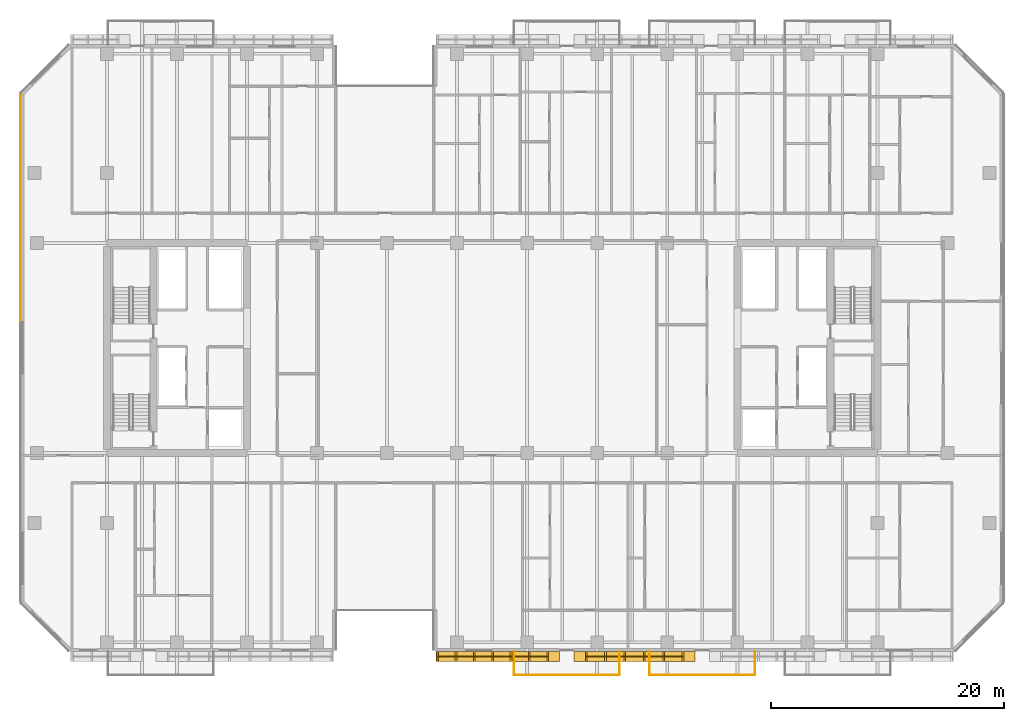
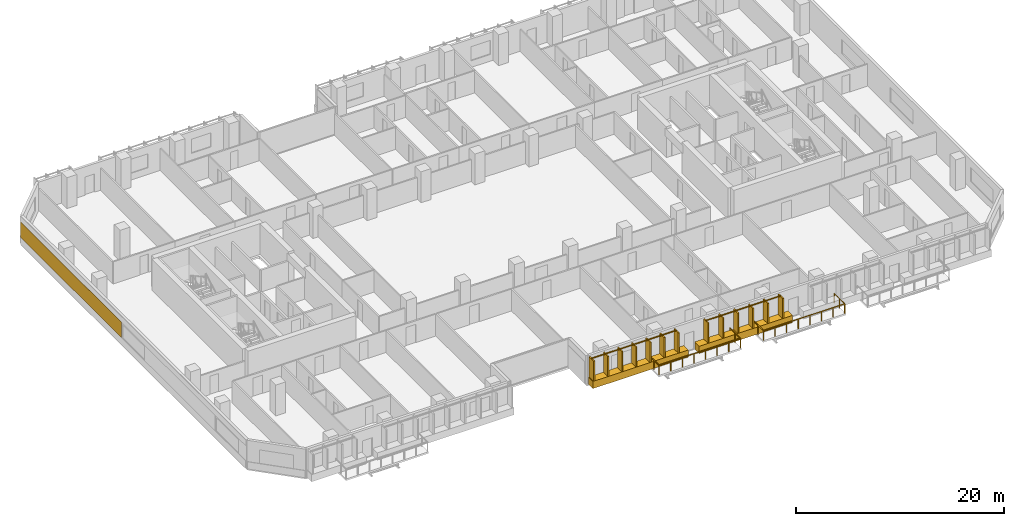
# One storey, part 20 of 25: 4 railings, 3 coverings.
"""IFC4 building model written with IfcOpenShell, lengths in metres."""

from ifc_helpers import new_model, si_unit, direction, frame, origin, origin_2d, place, context, subcontext, project, spatial, rectangle, extrude, material, layer, layer_set, type_object, element, save


model = new_model("IFC4")

# Units and contexts
model_context = context("Model", 3, precision=1e-05, world=origin(), true_north=direction((0.0, 1.0)))
body_context = subcontext(model_context, "Body", "Model", "MODEL_VIEW")
ifc_project = project(units=[si_unit("LENGTHUNIT", "METRE"), si_unit("AREAUNIT", "SQUARE_METRE"), si_unit("VOLUMEUNIT", "CUBIC_METRE"), si_unit("PLANEANGLEUNIT", "RADIAN"), si_unit("MASSUNIT", "GRAM", prefix="KILO")], contexts=[model_context])

# Site, building, storey
site_placement = place(None, origin())
site = spatial("IfcSite", under=ifc_project, at=site_placement, CompositionType="ELEMENT")
building_placement = place(site_placement, origin())
building = spatial("IfcBuilding", under=site, at=building_placement, Name="Tanjung Sevakor Pilgrim Tower", CompositionType="ELEMENT")
storey_placement = place(building_placement, frame((0.0, 0.0, 69.6298828125)))
storey = spatial("IfcBuildingStorey", under=building, at=storey_placement, Name="L19", CompositionType="ELEMENT", Elevation=69.6298828125)

# Coverings
ifc_material_1 = material(Name="Reconstructed Limestone Cladding", Category="masonry")
ifc_layer = layer(ifc_material_1, 0.044921875)
ifc_layer_set = layer_set([ifc_layer], Name="COV-CLAD-LIMESTONE")
covering_type = type_object("IfcCoveringType", Name="COV-CLAD-LIMESTONE", PredefinedType="CLADDING", material=ifc_layer_set)
covering_1_placement = place(storey_placement, frame((57.485107421875, 7.169921875, 0.01025390625), z_axis=(0.0, 0.0, 1.0), x_axis=(1.0, 0.0, 0.0)))
element("IfcCovering", 1, at=covering_1_placement, inside=storey, type_object=covering_type, Name="L19 Warm Limestone Sill Spandrel EW-L19-MAIN-5-1", PredefinedType="CLADDING", context=body_context, shape_type="SweptSolid", body=[
    extrude(rectangle(XDim=10.610107421875, YDim=0.860107421875, at=origin_2d()), origin(), (0.0, 0.0, 1.0), 0.840087890625),
])
covering_2_placement = place(storey_placement, frame((69.199951171875, 7.169921875, 0.01025390625), z_axis=(0.0, 0.0, 1.0), x_axis=(1.0, 0.0, 0.0)))
element("IfcCovering", 2, at=covering_2_placement, inside=storey, type_object=covering_type, Name="L19 Warm Limestone Sill Spandrel EW-L19-MAIN-5-2", PredefinedType="CLADDING", context=body_context, shape_type="SweptSolid", body=[
    extrude(rectangle(XDim=10.3798828125, YDim=0.860107421875, at=origin_2d()), origin(), (0.0, 0.0, 1.0), 0.840087890625),
])
covering_3_placement = place(storey_placement, frame((16.577392578125, 45.575927734375, 0.85009765625), z_axis=(0.0, 0.0, 1.0), x_axis=(0.0, -1.0, 0.0)))
element("IfcCovering", 3, at=covering_3_placement, inside=storey, type_object=covering_type, Name="L19 Warm Limestone Pier Panel EW-L19-MAIN-15-1", PredefinedType="CLADDING", context=body_context, shape_type="SweptSolid", body=[
    extrude(rectangle(XDim=19.451904296875, YDim=0.044921875, at=origin_2d()), origin(), (0.0, 0.0, 1.0), 1.81005859375),
])

# Railings
ifc_material_2 = material(Name="Laminated Glass and Aluminium", Category="aluminium")
railing_type_1 = type_object("IfcRailingType", Name="RL-BAL-BALUST", PredefinedType="BALUSTRADE", material=ifc_material_2)
railing_1_placement = place(storey_placement, frame((58.8798828125, 7.60009765625, 0.0)))
element("IfcRailing", 4, at=railing_1_placement, inside=storey, type_object=railing_type_1, Name="L19 Loggia Balustrade MAIN-S2", PredefinedType="BALUSTRADE", context=body_context, shape_type="SweptSolid", body=[
    extrude(rectangle(XDim=0.0479, YDim=0.0479), frame((0.0, 0.0, 1.1259765625), z_axis=(0.0, -1.0, 0.0), x_axis=(1.0, 0.0, 0.0)), (0.0, 0.0, 1.0), 2.02001953125),
    extrude(rectangle(XDim=0.0479, YDim=0.0479), frame((0.0, -2.02001953125, 1.1259765625), z_axis=(1.0, 0.0, 0.0), x_axis=(0.0, 1.0, 0.0)), (0.0, 0.0, 1.0), 9.0400390625),
    extrude(rectangle(XDim=0.0479, YDim=0.0479), frame((9.0400390625, -2.02001953125, 1.1259765625), z_axis=(0.0, 1.0, 0.0), x_axis=(-1.0, 0.0, 0.0)), (0.0, 0.0, 1.0), 2.02001953125),
    extrude(rectangle(XDim=0.042, YDim=0.042), origin(), (0.0, 0.0, 1.0), 1.101806640625),
    extrude(rectangle(XDim=0.042, YDim=0.042), frame((0.0, -1.010009765625, 0.0)), (0.0, 0.0, 1.0), 1.101806640625),
    extrude(rectangle(XDim=0.042, YDim=0.042), frame((0.0, -2.02001953125, 0.0)), (0.0, 0.0, 1.0), 1.101806640625),
    extrude(rectangle(XDim=0.042, YDim=0.042), frame((1.29150390625, -2.02001953125, 0.0)), (0.0, 0.0, 1.0), 1.101806640625),
    extrude(rectangle(XDim=0.042, YDim=0.042), frame((2.582763671875, -2.02001953125, 0.0)), (0.0, 0.0, 1.0), 1.101806640625),
    extrude(rectangle(XDim=0.042, YDim=0.042), frame((3.874267578125, -2.02001953125, 0.0)), (0.0, 0.0, 1.0), 1.101806640625),
    extrude(rectangle(XDim=0.042, YDim=0.042), frame((5.165771484375, -2.02001953125, 0.0)), (0.0, 0.0, 1.0), 1.101806640625),
    extrude(rectangle(XDim=0.042, YDim=0.042), frame((6.457275390625, -2.02001953125, 0.0)), (0.0, 0.0, 1.0), 1.101806640625),
    extrude(rectangle(XDim=0.042, YDim=0.042), frame((7.74853515625, -2.02001953125, 0.0)), (0.0, 0.0, 1.0), 1.101806640625),
    extrude(rectangle(XDim=0.042, YDim=0.042), frame((9.0400390625, -2.02001953125, 0.0)), (0.0, 0.0, 1.0), 1.101806640625),
    extrude(rectangle(XDim=0.042, YDim=0.042), frame((9.0400390625, -1.010009765625, 0.0)), (0.0, 0.0, 1.0), 1.101806640625),
    extrude(rectangle(XDim=0.042, YDim=0.042), frame((9.0400390625, 0.0, 0.0)), (0.0, 0.0, 1.0), 1.101806640625),
])
railing_2_placement = place(storey_placement, frame((70.47998046875, 7.60009765625, 0.0)))
element("IfcRailing", 5, at=railing_2_placement, inside=storey, type_object=railing_type_1, Name="L19 Loggia Balustrade MAIN-S3", PredefinedType="BALUSTRADE", context=body_context, shape_type="SweptSolid", body=[
    extrude(rectangle(XDim=0.0479, YDim=0.0479), frame((0.0, 0.0, 1.1259765625), z_axis=(0.0, -1.0, 0.0), x_axis=(1.0, 0.0, 0.0)), (0.0, 0.0, 1.0), 2.02001953125),
    extrude(rectangle(XDim=0.0479, YDim=0.0479), frame((0.0, -2.02001953125, 1.1259765625), z_axis=(1.0, 0.0, 0.0), x_axis=(0.0, 1.0, 0.0)), (0.0, 0.0, 1.0), 9.0400390625),
    extrude(rectangle(XDim=0.0479, YDim=0.0479), frame((9.0400390625, -2.02001953125, 1.1259765625), z_axis=(0.0, 1.0, 0.0), x_axis=(-1.0, 0.0, 0.0)), (0.0, 0.0, 1.0), 2.02001953125),
    extrude(rectangle(XDim=0.042, YDim=0.042), origin(), (0.0, 0.0, 1.0), 1.101806640625),
    extrude(rectangle(XDim=0.042, YDim=0.042), frame((0.0, -1.010009765625, 0.0)), (0.0, 0.0, 1.0), 1.101806640625),
    extrude(rectangle(XDim=0.042, YDim=0.042), frame((0.0, -2.02001953125, 0.0)), (0.0, 0.0, 1.0), 1.101806640625),
    extrude(rectangle(XDim=0.042, YDim=0.042), frame((1.29150390625, -2.02001953125, 0.0)), (0.0, 0.0, 1.0), 1.101806640625),
    extrude(rectangle(XDim=0.042, YDim=0.042), frame((2.582763671875, -2.02001953125, 0.0)), (0.0, 0.0, 1.0), 1.101806640625),
    extrude(rectangle(XDim=0.042, YDim=0.042), frame((3.874267578125, -2.02001953125, 0.0)), (0.0, 0.0, 1.0), 1.101806640625),
    extrude(rectangle(XDim=0.042, YDim=0.042), frame((5.165771484375, -2.02001953125, 0.0)), (0.0, 0.0, 1.0), 1.101806640625),
    extrude(rectangle(XDim=0.042, YDim=0.042), frame((6.457275390625, -2.02001953125, 0.0)), (0.0, 0.0, 1.0), 1.101806640625),
    extrude(rectangle(XDim=0.042, YDim=0.042), frame((7.74853515625, -2.02001953125, 0.0)), (0.0, 0.0, 1.0), 1.101806640625),
    extrude(rectangle(XDim=0.042, YDim=0.042), frame((9.0400390625, -2.02001953125, 0.0)), (0.0, 0.0, 1.0), 1.101806640625),
    extrude(rectangle(XDim=0.042, YDim=0.042), frame((9.0400390625, -1.010009765625, 0.0)), (0.0, 0.0, 1.0), 1.101806640625),
    extrude(rectangle(XDim=0.042, YDim=0.042), frame((9.0400390625, 0.0, 0.0)), (0.0, 0.0, 1.0), 1.101806640625),
])
ifc_material_3 = material(Name="Anodised Bronze Aluminium 6063-T6", Category="aluminium")
railing_type_2 = type_object("IfcRailingType", Name="RL-FIN-SCREEN", PredefinedType="BALUSTRADE", material=ifc_material_3)
railing_3_placement = place(storey_placement, frame((52.340087890625, 7.175048828125, 0.840087890625)))
element("IfcRailing", 6, at=railing_3_placement, inside=storey, type_object=railing_type_2, Name="L19 Vertical Bronze-Gold Solar Fin Screen FNSCR-EW-L19-MAIN-5-1", PredefinedType="BALUSTRADE", context=body_context, shape_type="SweptSolid", body=[
    extrude(rectangle(XDim=0.105, YDim=0.105), frame((0.0, 0.0, 2.427490234375), z_axis=(1.0, 0.0, 0.0), x_axis=(0.0, 1.0, 0.0)), (0.0, 0.0, 1.0), 9.409912109375),
    extrude(rectangle(XDim=0.14, YDim=0.85), origin(), (0.0, 0.0, 1.0), 2.375),
    extrude(rectangle(XDim=0.14, YDim=0.85), frame((1.568359375, 0.0, 0.0)), (0.0, 0.0, 1.0), 2.375),
    extrude(rectangle(XDim=0.14, YDim=0.85), frame((3.13671875, 0.0, 0.0)), (0.0, 0.0, 1.0), 2.375),
    extrude(rectangle(XDim=0.14, YDim=0.85), frame((4.705078125, 0.0, 0.0)), (0.0, 0.0, 1.0), 2.375),
    extrude(rectangle(XDim=0.14, YDim=0.85), frame((6.273193359375, 0.0, 0.0)), (0.0, 0.0, 1.0), 2.375),
    extrude(rectangle(XDim=0.14, YDim=0.85), frame((7.841552734375, 0.0, 0.0)), (0.0, 0.0, 1.0), 2.375),
    extrude(rectangle(XDim=0.14, YDim=0.85), frame((9.409912109375, 0.0, 0.0)), (0.0, 0.0, 1.0), 2.375),
])
railing_4_placement = place(storey_placement, frame((65.050048828125, 7.175048828125, 0.840087890625)))
element("IfcRailing", 7, at=railing_4_placement, inside=storey, type_object=railing_type_2, Name="L19 Vertical Bronze-Gold Solar Fin Screen FNSCR-EW-L19-MAIN-5-2", PredefinedType="BALUSTRADE", context=body_context, shape_type="SweptSolid", body=[
    extrude(rectangle(XDim=0.105, YDim=0.105), frame((0.0, 0.0, 2.427490234375), z_axis=(1.0, 0.0, 0.0), x_axis=(0.0, 1.0, 0.0)), (0.0, 0.0, 1.0), 8.300048828125),
    extrude(rectangle(XDim=0.14, YDim=0.85), origin(), (0.0, 0.0, 1.0), 2.375),
    extrude(rectangle(XDim=0.14, YDim=0.85), frame((1.659912109375, 0.0, 0.0)), (0.0, 0.0, 1.0), 2.375),
    extrude(rectangle(XDim=0.14, YDim=0.85), frame((3.320068359375, 0.0, 0.0)), (0.0, 0.0, 1.0), 2.375),
    extrude(rectangle(XDim=0.14, YDim=0.85), frame((4.97998046875, 0.0, 0.0)), (0.0, 0.0, 1.0), 2.375),
    extrude(rectangle(XDim=0.14, YDim=0.85), frame((6.64013671875, 0.0, 0.0)), (0.0, 0.0, 1.0), 2.375),
    extrude(rectangle(XDim=0.14, YDim=0.85), frame((8.300048828125, 0.0, 0.0)), (0.0, 0.0, 1.0), 2.375),
])

save(model, "model.ifc")
